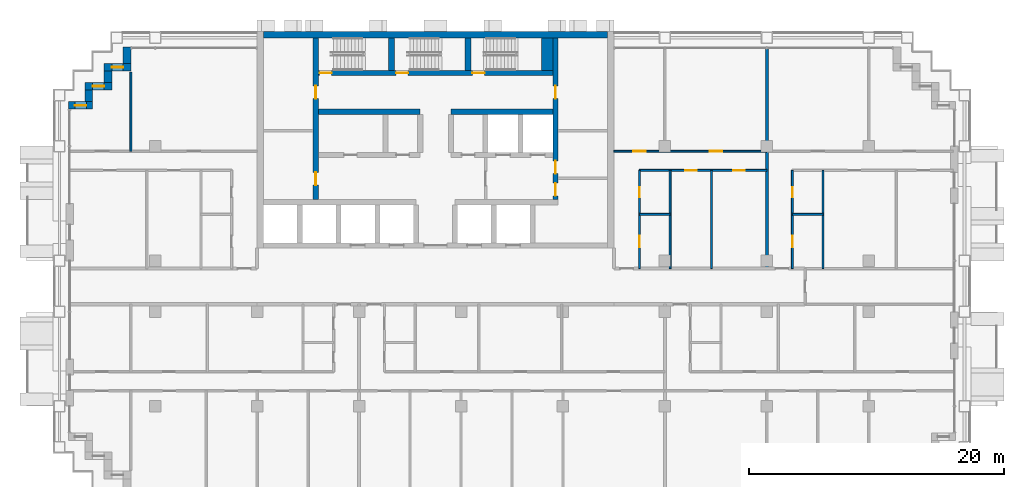
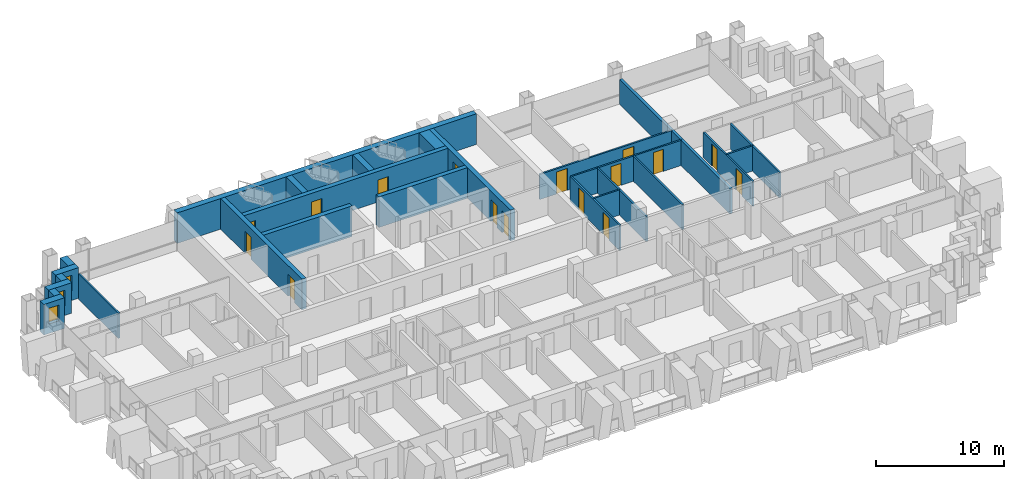
# One storey, part 12 of 19: 26 walls, 16 doors, 3 windows, 19 openings.
"""IFC4 building model written with IfcOpenShell, lengths in metres."""

import ifcopenshell
import ifcopenshell.guid

model = None  # the IFC model being written
_history = None  # IfcOwnerHistory: only IFC2X3 demands one
_inside = {}  # id of a spatial element -> (the spatial element, [elements in it])
_under = {}  # id of a project, library or spatial element -> (it, [spatial elements below it])
_declared = {}  # id of a project -> (the project, [libraries it declares])
_typed = {}  # id of a type object -> (the type object, [elements of that type])
_made_of = {}  # id of a material, layer set ... -> (it, [elements and type objects made of it])


def new_model(schema):
    """Start an empty IFC model of exactly this schema.

    Asked for "IFC4X3", IfcOpenShell would pick the latest addendum, in which some entities
    have other attributes; the version numbers below select the first issue.
    IFC2X3 requires an IfcOwnerHistory on every rooted entity: one is made here for all.
    """
    global model, _history
    if schema == "IFC4X3":
        model = ifcopenshell.file(schema_version=(4, 3, 0, 0))
    else:
        model = ifcopenshell.file(schema=schema)
    _inside.clear()
    _under.clear()
    _declared.clear()
    _typed.clear()
    _made_of.clear()
    _history = None
    if model.schema == "IFC2X3":
        org = make("IfcOrganization", Name="unknown")
        user = make(
            "IfcPersonAndOrganization",
            ThePerson=make("IfcPerson", FamilyName="unknown"),
            TheOrganization=org,
        )
        app = make(
            "IfcApplication",
            ApplicationDeveloper=org,
            Version="unknown",
            ApplicationFullName="unknown",
            ApplicationIdentifier="unknown",
        )
        _history = make(
            "IfcOwnerHistory",
            OwningUser=user,
            OwningApplication=app,
            ChangeAction="ADDED",
            CreationDate=0,
        )
    return model


def make(cls, **values):
    """One entity of the class cls with the attributes given. An attribute that is None is left unset."""
    return model.create_entity(
        cls, **{name: value for name, value in values.items() if value is not None}
    )


def rooted(cls, **values):
    """An entity with a GlobalId (a new one), such as an element, a storey or a relation."""
    return make(cls, GlobalId=ifcopenshell.guid.new(), OwnerHistory=_history, **values)


def si_unit(unit_type, name, prefix=None):
    """IfcSIUnit, for example si_unit("LENGTHUNIT", "METRE", prefix="MILLI")."""
    return make("IfcSIUnit", UnitType=unit_type, Prefix=prefix, Name=name)


def assignment(units):
    """IfcUnitAssignment: the units of a project."""
    return None if units is None else make("IfcUnitAssignment", Units=units)


def point(xyz):
    """IfcCartesianPoint."""
    return None if xyz is None else make("IfcCartesianPoint", Coordinates=xyz)


def direction(xyz):
    """IfcDirection."""
    return None if xyz is None else make("IfcDirection", DirectionRatios=xyz)


def frame(location, z_axis=None, x_axis=None):
    """IfcAxis2Placement3D, a coordinate frame: its origin and axes. An axis left out is left unset."""
    return make(
        "IfcAxis2Placement3D",
        Location=point(location),
        Axis=direction(z_axis),
        RefDirection=direction(x_axis),
    )


def frame_2d(location, x_axis=None):
    """IfcAxis2Placement2D, a coordinate frame in the plane: its origin and x axis."""
    return make(
        "IfcAxis2Placement2D", Location=point(location), RefDirection=direction(x_axis)
    )


def origin():
    """The frame at (0, 0, 0) with its axes left unset."""
    return frame((0.0, 0.0, 0.0))


def place(relative_to, where):
    """IfcLocalPlacement: puts the frame where relative to a parent placement (None: the world)."""
    return make(
        "IfcLocalPlacement", PlacementRelTo=relative_to, RelativePlacement=where
    )


def context(
    kind, dimensions, precision=None, world=None, true_north=None, identifier=None
):
    """IfcGeometricRepresentationContext, for example the 3D "Model" context."""
    return make(
        "IfcGeometricRepresentationContext",
        ContextIdentifier=identifier,
        ContextType=kind,
        CoordinateSpaceDimension=dimensions,
        Precision=precision,
        WorldCoordinateSystem=world,
        TrueNorth=true_north,
    )


def subcontext(parent, identifier, kind, view, scale=None):
    """IfcGeometricRepresentationSubContext, for example "Body" below "Model"."""
    return make(
        "IfcGeometricRepresentationSubContext",
        ContextIdentifier=identifier,
        ContextType=kind,
        ParentContext=parent,
        TargetScale=scale,
        TargetView=view,
    )


def project(units=None, contexts=None):
    """IfcProject with its units and contexts."""
    return rooted(
        "IfcProject",
        Name="project",
        RepresentationContexts=contexts,
        UnitsInContext=assignment(units),
    )


def spatial(cls, under=None, at=None, **own):
    """A site, building, storey or space (cls), placed at a placement, below another one or the project."""
    s = rooted(cls, ObjectPlacement=at, **own)
    if under is not None:
        _under.setdefault(under.id(), (under, []))[1].append(s)
    return s


def profile(cls, at=None, kind="AREA", **sizes):
    """A parametric profile (cls). Its sizes go by their IFC names, for example OverallWidth=200.0."""
    return make(cls, ProfileType=kind, Position=at, **sizes)


def rectangle(**sizes):
    """IfcRectangleProfileDef."""
    return profile("IfcRectangleProfileDef", **sizes)


def extrude(swept, where, along, depth):
    """IfcExtrudedAreaSolid: the profile swept, set in the frame where, extruded along a direction by depth."""
    return make(
        "IfcExtrudedAreaSolid",
        SweptArea=swept,
        Position=where,
        ExtrudedDirection=direction(along),
        Depth=depth,
    )


def shape(context_of_items, identifier, shape_type, items):
    """IfcShapeRepresentation: the items that make up one representation, for example the "Body"."""
    return make(
        "IfcShapeRepresentation",
        ContextOfItems=context_of_items,
        RepresentationIdentifier=identifier,
        RepresentationType=shape_type,
        Items=items,
    )


def material(Name=None, Category=None):
    """IfcMaterial."""
    return make("IfcMaterial", Name=Name, Category=Category)


def layer(
    of_material, thickness, ventilated=None, Name=None, Category=None, Priority=None
):
    """IfcMaterialLayer: one layer of a wall or slab, of a material (None: an air gap)."""
    return make(
        "IfcMaterialLayer",
        Material=of_material,
        LayerThickness=thickness,
        IsVentilated=ventilated,
        Name=Name,
        Category=Category,
        Priority=Priority,
    )


def layer_set(layers, Name=None):
    """IfcMaterialLayerSet."""
    return make("IfcMaterialLayerSet", MaterialLayers=layers, LayerSetName=Name)


def made_of(thing, what):
    """Note that an element or type object is made of a material, layer set ...; save() writes the relation."""
    if what is not None:
        _made_of.setdefault(what.id(), (what, []))[1].append(thing)
    return thing


def type_object(cls, material=None, **own):
    """A type object (cls), such as IfcWallType, which elements share."""
    return made_of(rooted(cls, **own), material)


def element(
    cls,
    number,
    at=None,
    inside=None,
    cuts=None,
    type_object=None,
    material=None,
    context=None,
    identifier="Body",
    shape_type=None,
    held_by="IfcProductDefinitionShape",
    body=None,
    shapes=None,
    **own,
):
    """One element of the class cls, such as IfcWall. Its Tag is "e" and its number.

    at: its placement. inside: the storey or other place that contains it. cuts: it is an
    opening in that element (IfcRelVoidsElement). A single representation is given by context,
    identifier, shape_type and body (its items); several are given by shapes. held_by: the class
    of the entity that holds the representations. save() writes the other relations.
    """
    e = rooted(cls, Tag="e%d" % number, ObjectPlacement=at, **own)
    if body is not None:
        shapes = [shape(context, identifier, shape_type, body)]
    if shapes is not None:
        e.Representation = make(held_by, Representations=shapes)
    if inside is not None:
        _inside.setdefault(inside.id(), (inside, []))[1].append(e)
    if cuts is not None:
        rooted(
            "IfcRelVoidsElement", RelatingBuildingElement=cuts, RelatedOpeningElement=e
        )
    if type_object is not None:
        _typed.setdefault(type_object.id(), (type_object, []))[1].append(e)
    return made_of(e, material)


def fill(opening, filler):
    """IfcRelFillsElement: the door or window that sits in an opening."""
    return rooted(
        "IfcRelFillsElement",
        RelatingOpeningElement=opening,
        RelatedBuildingElement=filler,
    )


def aggregate(whole, parts):
    """IfcRelAggregates: a whole, such as a stair, and the parts it consists of."""
    return rooted("IfcRelAggregates", RelatingObject=whole, RelatedObjects=parts)


def save(model, path):
    """Write the relations noted so far, then the file.

    IfcRelAggregates (storeys below a building ...), IfcRelContainedInSpatialStructure (elements
    in a storey), IfcRelDefinesByType, IfcRelAssociatesMaterial and IfcRelDeclares: one each for
    every whole, place, type object, material and project.
    """
    for whole, parts in _under.values():
        aggregate(whole, parts)
    for where, things in _inside.values():
        rooted(
            "IfcRelContainedInSpatialStructure",
            RelatedElements=things,
            RelatingStructure=where,
        )
    for kind, things in _typed.values():
        rooted("IfcRelDefinesByType", RelatedObjects=things, RelatingType=kind)
    for what, things in _made_of.values():
        rooted("IfcRelAssociatesMaterial", RelatedObjects=things, RelatingMaterial=what)
    for by, libraries in _declared.values():
        rooted("IfcRelDeclares", RelatingContext=by, RelatedDefinitions=libraries)
    model.write(path)


model = new_model("IFC4")

# Units and contexts
model_context = context("Model", 3, precision=1e-05, world=origin(), true_north=direction((0.0, 1.0)))
body_context = subcontext(model_context, "Body", "Model", "MODEL_VIEW")
ifc_project = project(units=[si_unit("LENGTHUNIT", "METRE"), si_unit("AREAUNIT", "SQUARE_METRE"), si_unit("VOLUMEUNIT", "CUBIC_METRE"), si_unit("PLANEANGLEUNIT", "RADIAN"), si_unit("MASSUNIT", "GRAM", prefix="KILO")], contexts=[model_context])

# Site, building, storey
site_placement = place(None, origin())
site = spatial("IfcSite", under=ifc_project, at=site_placement, CompositionType="ELEMENT")
building_placement = place(site_placement, origin())
building = spatial("IfcBuilding", under=site, at=building_placement, Name="Vidyagriha Tower", CompositionType="ELEMENT")
storey_placement = place(building_placement, frame((0.0, 0.0, 99.89990234375)))
storey = spatial("IfcBuildingStorey", under=building, at=storey_placement, Name="L26", CompositionType="ELEMENT", Elevation=99.89990234375)

# Wall
ifc_material_1 = material(Name="Precast concrete C40/50 with brick facing", Category="concrete")
ifc_layer_1 = layer(ifc_material_1, 0.60009765625)
ifc_layer_set_1 = layer_set([ifc_layer_1], Name="Precast concrete C40/50 with brick facing")
wall_type_1 = type_object("IfcWallType", Name="Brick-faced precast wall 600", PredefinedType="STANDARD", material=ifc_layer_set_1)
wall_1_placement = place(storey_placement, frame((-24.199951171875, 18.780029296875, 0.0), z_axis=(0.0, 0.0, 1.0), x_axis=(0.0, -1.0, 0.0)))
element("IfcWall", 1, at=wall_1_placement, inside=storey, type_object=wall_type_1, Name="Stepped corner wall L26 R10", PredefinedType="STANDARD", context=body_context, shape_type="SweptSolid", body=[
    extrude(rectangle(XDim=1.280029296875, YDim=0.60009765625, at=frame_2d((0.64013671875, 0.0))), origin(), (0.0, 0.0, 1.0), 2.920166015625),
])

# Wall, opening, window
wall_2_placement = place(storey_placement, frame((-23.89990234375, 17.199951171875, 0.0), z_axis=(0.0, 0.0, 1.0), x_axis=(-1.0, 0.0, 0.0)))
wall_2 = element("IfcWall", 2, at=wall_2_placement, inside=storey, type_object=wall_type_1, Name="Stepped corner wall L26 R11", PredefinedType="STANDARD", context=body_context, shape_type="SweptSolid", body=[
    extrude(rectangle(XDim=2.10009765625, YDim=0.60009765625, at=frame_2d((1.050048828125, 0.0))), origin(), (0.0, 0.0, 1.0), 2.920166015625),
])
opening_1_placement = place(wall_2_placement, frame((0.60009765625, 0.0, 0.89990234375)))
opening_1 = element("IfcOpeningElement", 3, at=opening_1_placement, cuts=wall_2, Name="Opening WN1", PredefinedType="OPENING", context=body_context, shape_type="SweptSolid", body=[
    extrude(rectangle(XDim=0.89990234375, YDim=1.5, at=frame_2d((0.449951171875, 0.75))), frame((0.0, 0.31005859375, 0.0), z_axis=(0.0, -1.0, 0.0), x_axis=(1.0, 0.0, 0.0)), (0.0, 0.0, 1.0), 0.6201171875),
])
ifc_material_2 = material(Name="Aluminium and glass window", Category="aluminium")
window_type = type_object("IfcWindowType", Name="Reveal window 900x1500", PartitioningType="NOTDEFINED", PredefinedType="WINDOW", material=ifc_material_2)
window_1_placement = place(opening_1_placement, origin())
window_1 = element("IfcWindow", 4, at=window_1_placement, inside=storey, type_object=window_type, Name="Reveal window L26 R11", OverallHeight=1.5, OverallWidth=0.89990234375, PartitioningType="SINGLE_PANEL", PredefinedType="WINDOW", context=body_context, shape_type="SweptSolid", body=[
    extrude(rectangle(XDim=0.89990234375, YDim=1.5, at=frame_2d((0.449951171875, 0.75))), frame((0.0, 0.030029296875, 0.0), z_axis=(0.0, -1.0, 0.0), x_axis=(1.0, 0.0, 0.0)), (0.0, 0.0, 1.0), 0.06005859375),
])
fill(opening_1, window_1)

# Wall
wall_3_placement = place(storey_placement, frame((-25.699951171875, 16.89990234375, 0.0), z_axis=(0.0, 0.0, 1.0), x_axis=(0.0, -1.0, 0.0)))
element("IfcWall", 5, at=wall_3_placement, inside=storey, type_object=wall_type_1, Name="Stepped corner wall L26 R12", PredefinedType="STANDARD", context=body_context, shape_type="SweptSolid", body=[
    extrude(rectangle(XDim=0.89990234375, YDim=0.60009765625, at=frame_2d((0.449951171875, 0.0))), origin(), (0.0, 0.0, 1.0), 2.920166015625),
])

# Wall, opening, window
wall_4_placement = place(storey_placement, frame((-25.39990234375, 15.699951171875, 0.0), z_axis=(0.0, 0.0, 1.0), x_axis=(-1.0, 0.0, 0.0)))
wall_4 = element("IfcWall", 6, at=wall_4_placement, inside=storey, type_object=wall_type_1, Name="Stepped corner wall L26 R13", PredefinedType="STANDARD", context=body_context, shape_type="SweptSolid", body=[
    extrude(rectangle(XDim=2.10009765625, YDim=0.60009765625, at=frame_2d((1.050048828125, 0.0))), origin(), (0.0, 0.0, 1.0), 2.920166015625),
])
opening_2_placement = place(wall_4_placement, frame((0.60009765625, 0.0, 0.89990234375)))
opening_2 = element("IfcOpeningElement", 7, at=opening_2_placement, cuts=wall_4, Name="Opening WN1", PredefinedType="OPENING", context=body_context, shape_type="SweptSolid", body=[
    extrude(rectangle(XDim=0.89990234375, YDim=1.5, at=frame_2d((0.449951171875, 0.75))), frame((0.0, 0.31005859375, 0.0), z_axis=(0.0, -1.0, 0.0), x_axis=(1.0, 0.0, 0.0)), (0.0, 0.0, 1.0), 0.6201171875),
])
window_2_placement = place(opening_2_placement, origin())
window_2 = element("IfcWindow", 8, at=window_2_placement, inside=storey, type_object=window_type, Name="Reveal window L26 R13", OverallHeight=1.5, OverallWidth=0.89990234375, PartitioningType="SINGLE_PANEL", PredefinedType="WINDOW", context=body_context, shape_type="SweptSolid", body=[
    extrude(rectangle(XDim=0.89990234375, YDim=1.5, at=frame_2d((0.449951171875, 0.75))), frame((0.0, 0.030029296875, 0.0), z_axis=(0.0, -1.0, 0.0), x_axis=(1.0, 0.0, 0.0)), (0.0, 0.0, 1.0), 0.06005859375),
])
fill(opening_2, window_2)

# Wall
wall_5_placement = place(storey_placement, frame((-27.199951171875, 15.39990234375, 0.0), z_axis=(0.0, 0.0, 1.0), x_axis=(0.0, -1.0, 0.0)))
element("IfcWall", 9, at=wall_5_placement, inside=storey, type_object=wall_type_1, Name="Stepped corner wall L26 R14", PredefinedType="STANDARD", context=body_context, shape_type="SweptSolid", body=[
    extrude(rectangle(XDim=0.89990234375, YDim=0.60009765625, at=frame_2d((0.449951171875, 0.0))), origin(), (0.0, 0.0, 1.0), 2.920166015625),
])

# Wall, opening, window
wall_6_placement = place(storey_placement, frame((-26.89990234375, 14.199951171875, 0.0), z_axis=(0.0, 0.0, 1.0), x_axis=(-1.0, 0.0, 0.0)))
wall_6 = element("IfcWall", 10, at=wall_6_placement, inside=storey, type_object=wall_type_1, Name="Stepped corner wall L26 R15", PredefinedType="STANDARD", context=body_context, shape_type="SweptSolid", body=[
    extrude(rectangle(XDim=1.880126953125, YDim=0.60009765625, at=frame_2d((0.93994140625, 0.0))), origin(), (0.0, 0.0, 1.0), 2.920166015625),
])
opening_3_placement = place(wall_6_placement, frame((0.489990234375, 0.0, 0.89990234375)))
opening_3 = element("IfcOpeningElement", 11, at=opening_3_placement, cuts=wall_6, Name="Opening WN1", PredefinedType="OPENING", context=body_context, shape_type="SweptSolid", body=[
    extrude(rectangle(XDim=0.89990234375, YDim=1.5, at=frame_2d((0.449951171875, 0.75))), frame((0.0, 0.31005859375, 0.0), z_axis=(0.0, -1.0, 0.0), x_axis=(1.0, 0.0, 0.0)), (0.0, 0.0, 1.0), 0.6201171875),
])
window_3_placement = place(opening_3_placement, origin())
window_3 = element("IfcWindow", 12, at=window_3_placement, inside=storey, type_object=window_type, Name="Reveal window L26 R15", OverallHeight=1.5, OverallWidth=0.89990234375, PartitioningType="SINGLE_PANEL", PredefinedType="WINDOW", context=body_context, shape_type="SweptSolid", body=[
    extrude(rectangle(XDim=0.89990234375, YDim=1.5, at=frame_2d((0.449951171875, 0.75))), frame((0.0, 0.030029296875, 0.0), z_axis=(0.0, -1.0, 0.0), x_axis=(1.0, 0.0, 0.0)), (0.0, 0.0, 1.0), 0.06005859375),
])
fill(opening_3, window_3)

# Wall, openings, doors
ifc_material_3 = material(Name="Concrete C60/75", Category="concrete")
ifc_layer_2 = layer(ifc_material_3, 0.39990234375)
ifc_layer_set_2 = layer_set([ifc_layer_2], Name="Concrete C60/75")
wall_type_2 = type_object("IfcWallType", Name="Core shear wall 400 mm", PredefinedType="SHEAR", material=ifc_layer_set_2)
wall_7_placement = place(storey_placement, frame((-9.39990234375, 6.800048828125, 0.0), z_axis=(0.0, 0.0, 1.0), x_axis=(0.0, 1.0, 0.0)))
wall_7 = element("IfcWall", 13, at=wall_7_placement, inside=storey, type_object=wall_type_2, Name="Core west spine wall", PredefinedType="SHEAR", context=body_context, shape_type="SweptSolid", body=[
    extrude(rectangle(XDim=12.699951171875, YDim=0.39990234375, at=frame_2d((6.35009765625, 0.0))), origin(), (0.0, 0.0, 1.0), 2.920166015625),
])
opening_4_placement = place(wall_7_placement, frame((1.14990234375, 0.0, 0.0)))
opening_4 = element("IfcOpeningElement", 14, at=opening_4_placement, cuts=wall_7, Name="Opening D26-09", PredefinedType="OPENING", context=body_context, shape_type="SweptSolid", body=[
    extrude(rectangle(XDim=1.0, YDim=2.10009765625, at=frame_2d((0.5, 1.050048828125))), frame((0.0, 0.2099609375, 0.0), z_axis=(0.0, -1.0, 0.0), x_axis=(1.0, 0.0, 0.0)), (0.0, 0.0, 1.0), 0.419921875),
])
opening_5_placement = place(wall_7_placement, frame((7.925048828125, 0.0, 0.0)))
opening_5 = element("IfcOpeningElement", 15, at=opening_5_placement, cuts=wall_7, Name="Opening D26-10", PredefinedType="OPENING", context=body_context, shape_type="SweptSolid", body=[
    extrude(rectangle(XDim=1.0, YDim=2.10009765625, at=frame_2d((0.5, 1.050048828125))), frame((0.0, 0.2099609375, 0.0), z_axis=(0.0, -1.0, 0.0), x_axis=(1.0, 0.0, 0.0)), (0.0, 0.0, 1.0), 0.419921875),
])
ifc_material_4 = material(Name="Hollow metal door leaf")
door_type_1 = type_object("IfcDoorType", Name="Core room door 1000 x 2100 mm EI 60", OperationType="NOTDEFINED", PredefinedType="DOOR", material=ifc_material_4)
door_1_placement = place(opening_4_placement, frame((1.0, 0.0, 0.0), z_axis=(0.0, 0.0, 1.0), x_axis=(-1.0, 0.0, 0.0)))
door_1 = element("IfcDoor", 16, at=door_1_placement, inside=storey, type_object=door_type_1, Name="Door Communications Room 26.W1", OperationType="SINGLE_SWING_RIGHT", OverallHeight=2.10009765625, OverallWidth=1.0, PredefinedType="DOOR", context=body_context, shape_type="SweptSolid", body=[
    extrude(rectangle(XDim=1.0, YDim=2.10009765625, at=frame_2d((0.5, 1.050048828125))), frame((0.0, 0.02490234375, 0.0), z_axis=(0.0, -1.0, 0.0), x_axis=(1.0, 0.0, 0.0)), (0.0, 0.0, 1.0), 0.050048828125),
])
fill(opening_4, door_1)
door_2_placement = place(opening_5_placement, frame((1.0, 0.0, 0.0), z_axis=(0.0, 0.0, 1.0), x_axis=(-1.0, 0.0, 0.0)))
door_2 = element("IfcDoor", 17, at=door_2_placement, inside=storey, type_object=door_type_1, Name="Door Riser Room 26.W2", OperationType="SINGLE_SWING_LEFT", OverallHeight=2.10009765625, OverallWidth=1.0, PredefinedType="DOOR", context=body_context, shape_type="SweptSolid", body=[
    extrude(rectangle(XDim=1.0, YDim=2.10009765625, at=frame_2d((0.5, 1.050048828125))), frame((0.0, 0.02490234375, 0.0), z_axis=(0.0, -1.0, 0.0), x_axis=(1.0, 0.0, 0.0)), (0.0, 0.0, 1.0), 0.050048828125),
])
fill(opening_5, door_2)

wall_8_placement = place(storey_placement, frame((9.39990234375, 6.800048828125, 0.0), z_axis=(0.0, 0.0, 1.0), x_axis=(0.0, 1.0, 0.0)))
wall_8 = element("IfcWall", 18, at=wall_8_placement, inside=storey, type_object=wall_type_2, Name="Core east spine wall", PredefinedType="SHEAR", context=body_context, shape_type="SweptSolid", body=[
    extrude(rectangle(XDim=12.699951171875, YDim=0.39990234375, at=frame_2d((6.35009765625, 0.0))), origin(), (0.0, 0.0, 1.0), 2.920166015625),
])
opening_6_placement = place(wall_8_placement, frame((0.300048828125, 0.0, 0.0)))
opening_6 = element("IfcOpeningElement", 19, at=opening_6_placement, cuts=wall_8, Name="Opening D26-11", PredefinedType="OPENING", context=body_context, shape_type="SweptSolid", body=[
    extrude(rectangle(XDim=1.0, YDim=2.10009765625, at=frame_2d((0.5, 1.050048828125))), frame((0.0, 0.2099609375, 0.0), z_axis=(0.0, -1.0, 0.0), x_axis=(1.0, 0.0, 0.0)), (0.0, 0.0, 1.0), 0.419921875),
])
opening_7_placement = place(wall_8_placement, frame((2.050048828125, 0.0, 0.0)))
opening_7 = element("IfcOpeningElement", 20, at=opening_7_placement, cuts=wall_8, Name="Opening D26-12", PredefinedType="OPENING", context=body_context, shape_type="SweptSolid", body=[
    extrude(rectangle(XDim=1.0, YDim=2.10009765625, at=frame_2d((0.5, 1.050048828125))), frame((0.0, 0.2099609375, 0.0), z_axis=(0.0, -1.0, 0.0), x_axis=(1.0, 0.0, 0.0)), (0.0, 0.0, 1.0), 0.419921875),
])
opening_8_placement = place(wall_8_placement, frame((7.925048828125, 0.0, 0.0)))
opening_8 = element("IfcOpeningElement", 21, at=opening_8_placement, cuts=wall_8, Name="Opening D26-13", PredefinedType="OPENING", context=body_context, shape_type="SweptSolid", body=[
    extrude(rectangle(XDim=1.0, YDim=2.10009765625, at=frame_2d((0.5, 1.050048828125))), frame((0.0, 0.2099609375, 0.0), z_axis=(0.0, -1.0, 0.0), x_axis=(1.0, 0.0, 0.0)), (0.0, 0.0, 1.0), 0.419921875),
])
door_3_placement = place(opening_6_placement, origin())
door_3 = element("IfcDoor", 22, at=door_3_placement, inside=storey, type_object=door_type_1, Name="Door Refuse Room 26.E1", OperationType="SINGLE_SWING_RIGHT", OverallHeight=2.10009765625, OverallWidth=1.0, PredefinedType="DOOR", context=body_context, shape_type="SweptSolid", body=[
    extrude(rectangle(XDim=1.0, YDim=2.10009765625, at=frame_2d((0.5, 1.050048828125))), frame((0.0, 0.02490234375, 0.0), z_axis=(0.0, -1.0, 0.0), x_axis=(1.0, 0.0, 0.0)), (0.0, 0.0, 1.0), 0.050048828125),
])
fill(opening_6, door_3)
door_4_placement = place(opening_7_placement, origin())
door_4 = element("IfcDoor", 23, at=door_4_placement, inside=storey, type_object=door_type_1, Name="Door Mechanical Riser Room 26.E2", OperationType="SINGLE_SWING_LEFT", OverallHeight=2.10009765625, OverallWidth=1.0, PredefinedType="DOOR", context=body_context, shape_type="SweptSolid", body=[
    extrude(rectangle(XDim=1.0, YDim=2.10009765625, at=frame_2d((0.5, 1.050048828125))), frame((0.0, 0.02490234375, 0.0), z_axis=(0.0, -1.0, 0.0), x_axis=(1.0, 0.0, 0.0)), (0.0, 0.0, 1.0), 0.050048828125),
])
fill(opening_7, door_4)
door_5_placement = place(opening_8_placement, origin())
door_5 = element("IfcDoor", 24, at=door_5_placement, inside=storey, type_object=door_type_1, Name="Door Electrical Room 26.E3", OperationType="SINGLE_SWING_LEFT", OverallHeight=2.10009765625, OverallWidth=1.0, PredefinedType="DOOR", context=body_context, shape_type="SweptSolid", body=[
    extrude(rectangle(XDim=1.0, YDim=2.10009765625, at=frame_2d((0.5, 1.050048828125))), frame((0.0, 0.02490234375, 0.0), z_axis=(0.0, -1.0, 0.0), x_axis=(1.0, 0.0, 0.0)), (0.0, 0.0, 1.0), 0.050048828125),
])
fill(opening_8, door_5)

# Walls
for number, where, name in (
    (25, (-9.199951171875, 13.699951171875, 0.0), "Core row N rear wall"),
    (26, (1.199951171875, 13.699951171875, 0.0), "Core row N rear wall"),
):
    element("IfcWall", number, at=place(storey_placement, frame(where)), inside=storey, type_object=wall_type_2, Name=name, PredefinedType="SHEAR", context=body_context, shape_type="SweptSolid", body=[
        extrude(rectangle(XDim=8.0, YDim=0.39990234375, at=frame_2d((4.0, 0.0))), origin(), (0.0, 0.0, 1.0), 2.920166015625),
    ])

# Wall, openings, doors
wall_9_placement = place(storey_placement, frame((-9.199951171875, 16.75, 0.0)))
wall_9 = element("IfcWall", 27, at=wall_9_placement, inside=storey, type_object=wall_type_2, Name="Stair front wall", PredefinedType="SHEAR", context=body_context, shape_type="SweptSolid", body=[
    extrude(rectangle(XDim=18.39990234375, YDim=0.39990234375, at=frame_2d((9.199951171875, 0.0))), origin(), (0.0, 0.0, 1.0), 2.920166015625),
])
opening_9_placement = place(wall_9_placement, frame((0.10009765625, 0.0, 0.0)))
opening_9 = element("IfcOpeningElement", 28, at=opening_9_placement, cuts=wall_9, Name="Opening D26-06", PredefinedType="OPENING", context=body_context, shape_type="SweptSolid", body=[
    extrude(rectangle(XDim=0.949951171875, YDim=2.10009765625, at=frame_2d((0.47509765625, 1.050048828125))), frame((0.0, 0.2099609375, 0.0), z_axis=(0.0, -1.0, 0.0), x_axis=(1.0, 0.0, 0.0)), (0.0, 0.0, 1.0), 0.419921875),
])
opening_10_placement = place(wall_9_placement, frame((6.10009765625, 0.0, 0.0)))
opening_10 = element("IfcOpeningElement", 29, at=opening_10_placement, cuts=wall_9, Name="Opening D26-07", PredefinedType="OPENING", context=body_context, shape_type="SweptSolid", body=[
    extrude(rectangle(XDim=0.949951171875, YDim=2.10009765625, at=frame_2d((0.47509765625, 1.050048828125))), frame((0.0, 0.2099609375, 0.0), z_axis=(0.0, -1.0, 0.0), x_axis=(1.0, 0.0, 0.0)), (0.0, 0.0, 1.0), 0.419921875),
])
opening_11_placement = place(wall_9_placement, frame((12.10009765625, 0.0, 0.0)))
opening_11 = element("IfcOpeningElement", 30, at=opening_11_placement, cuts=wall_9, Name="Opening D26-08", PredefinedType="OPENING", context=body_context, shape_type="SweptSolid", body=[
    extrude(rectangle(XDim=0.949951171875, YDim=2.10009765625, at=frame_2d((0.47509765625, 1.050048828125))), frame((0.0, 0.2099609375, 0.0), z_axis=(0.0, -1.0, 0.0), x_axis=(1.0, 0.0, 0.0)), (0.0, 0.0, 1.0), 0.419921875),
])
ifc_material_5 = material(Name="Hollow metal door leaf")
door_type_2 = type_object("IfcDoorType", Name="Exit stair door 950 x 2100 mm EI 90", OperationType="NOTDEFINED", PredefinedType="DOOR", material=ifc_material_5)
door_6_placement = place(opening_9_placement, origin())
door_6 = element("IfcDoor", 31, at=door_6_placement, inside=storey, type_object=door_type_2, Name="Stair door ST1 L26", OperationType="SINGLE_SWING_LEFT", OverallHeight=2.10009765625, OverallWidth=0.949951171875, PredefinedType="DOOR", context=body_context, shape_type="SweptSolid", body=[
    extrude(rectangle(XDim=0.949951171875, YDim=2.10009765625, at=frame_2d((0.47509765625, 1.050048828125))), frame((0.0, 0.02490234375, 0.0), z_axis=(0.0, -1.0, 0.0), x_axis=(1.0, 0.0, 0.0)), (0.0, 0.0, 1.0), 0.050048828125),
])
fill(opening_9, door_6)
door_7_placement = place(opening_10_placement, origin())
door_7 = element("IfcDoor", 32, at=door_7_placement, inside=storey, type_object=door_type_2, Name="Stair door ST2 L26", OperationType="SINGLE_SWING_LEFT", OverallHeight=2.10009765625, OverallWidth=0.949951171875, PredefinedType="DOOR", context=body_context, shape_type="SweptSolid", body=[
    extrude(rectangle(XDim=0.949951171875, YDim=2.10009765625, at=frame_2d((0.47509765625, 1.050048828125))), frame((0.0, 0.02490234375, 0.0), z_axis=(0.0, -1.0, 0.0), x_axis=(1.0, 0.0, 0.0)), (0.0, 0.0, 1.0), 0.050048828125),
])
fill(opening_10, door_7)
door_8_placement = place(opening_11_placement, origin())
door_8 = element("IfcDoor", 33, at=door_8_placement, inside=storey, type_object=door_type_2, Name="Stair door ST3 L26", OperationType="SINGLE_SWING_LEFT", OverallHeight=2.10009765625, OverallWidth=0.949951171875, PredefinedType="DOOR", context=body_context, shape_type="SweptSolid", body=[
    extrude(rectangle(XDim=0.949951171875, YDim=2.10009765625, at=frame_2d((0.47509765625, 1.050048828125))), frame((0.0, 0.02490234375, 0.0), z_axis=(0.0, -1.0, 0.0), x_axis=(1.0, 0.0, 0.0)), (0.0, 0.0, 1.0), 0.050048828125),
])
fill(opening_11, door_8)

# Walls
ifc_material_6 = material(Name="Concrete C60/75", Category="concrete")
ifc_layer_3 = layer(ifc_material_6, 0.5)
ifc_layer_set_3 = layer_set([ifc_layer_3], Name="Concrete C60/75")
wall_type_3 = type_object("IfcWallType", Name="Core shear wall 500 mm", PredefinedType="SHEAR", material=ifc_layer_set_3)
wall_10_placement = place(storey_placement, frame((-13.5, 19.75, 0.0)))
element("IfcWall", 34, at=wall_10_placement, inside=storey, type_object=wall_type_3, Name="Core north wall", PredefinedType="SHEAR", context=body_context, shape_type="SweptSolid", body=[
    extrude(rectangle(XDim=27.0, YDim=0.5, at=frame_2d((13.5, 0.0))), origin(), (0.0, 0.0, 1.0), 2.920166015625),
])
for number, where, z_axis, x_axis, name in (
    (35, (-3.449951171875, 16.949951171875, 0.0), (0.0, 0.0, 1.0), (0.0, 1.0, 0.0), "Stair partition wall 1"),
    (36, (2.550048828125, 16.949951171875, 0.0), (0.0, 0.0, 1.0), (0.0, 1.0, 0.0), "Stair partition wall 2"),
):
    element("IfcWall", number, at=place(storey_placement, frame(where, z_axis=z_axis, x_axis=x_axis)), inside=storey, type_object=wall_type_3, Name=name, PredefinedType="SHEAR", context=body_context, shape_type="SweptSolid", body=[
        extrude(rectangle(XDim=2.550048828125, YDim=0.5, at=frame_2d((1.27490234375, 0.0))), origin(), (0.0, 0.0, 1.0), 2.920166015625),
    ])
ifc_material_7 = material(Name="Concrete C60/75", Category="concrete")
ifc_layer_4 = layer(ifc_material_7, 0.89990234375)
ifc_layer_set_4 = layer_set([ifc_layer_4], Name="Concrete C60/75")
wall_type_4 = type_object("IfcWallType", Name="Core shear wall 900 mm", PredefinedType="SHEAR", material=ifc_layer_set_4)
wall_11_placement = place(storey_placement, frame((8.75, 16.949951171875, 0.0), z_axis=(0.0, 0.0, 1.0), x_axis=(0.0, 1.0, 0.0)))
element("IfcWall", 37, at=wall_11_placement, inside=storey, type_object=wall_type_4, Name="Stair end wall", PredefinedType="SHEAR", context=body_context, shape_type="SweptSolid", body=[
    extrude(rectangle(XDim=2.550048828125, YDim=0.89990234375, at=frame_2d((1.27490234375, 0.0))), origin(), (0.0, 0.0, 1.0), 2.920166015625),
])
ifc_material_8 = material(Name="Fired clay brick masonry", Category="masonry")
ifc_layer_5 = layer(ifc_material_8, 0.25)
ifc_layer_set_5 = layer_set([ifc_layer_5], Name="Fired clay brick masonry")
wall_type_5 = type_object("IfcWallType", Name="Fired clay brick demising wall 250", PredefinedType="PARTITIONING", material=ifc_layer_set_5)
wall_12_placement = place(storey_placement, frame((26.0, 18.62109375, 0.0), z_axis=(0.0, 0.0, 1.0), x_axis=(0.0, -1.0, 0.0)))
element("IfcWall", 38, at=wall_12_placement, inside=storey, type_object=wall_type_5, Name="Wall all-L26-w113", PredefinedType="PARTITIONING", context=body_context, shape_type="SweptSolid", body=[
    extrude(rectangle(XDim=17.22119140625, YDim=0.25, at=frame_2d((8.610595703125, 0.0))), origin(), (0.0, 0.0, 1.0), 2.400146484375),
])
ifc_material_9 = material(Name="Gypsum board partition")
ifc_layer_6 = layer(ifc_material_9, 0.14990234375)
ifc_layer_set_6 = layer_set([ifc_layer_6], Name="Gypsum board partition")
wall_type_6 = type_object("IfcWallType", Name="Gypsum board partition 150", PredefinedType="PARTITIONING", material=ifc_layer_set_6)
wall_13_placement = place(storey_placement, frame((-23.89990234375, 16.820068359375, 0.0), z_axis=(0.0, 0.0, 1.0), x_axis=(0.0, -1.0, 0.0)))
element("IfcWall", 39, at=wall_13_placement, inside=storey, type_object=wall_type_6, Name="Wall all-L26-w082", PredefinedType="PARTITIONING", context=body_context, shape_type="SweptSolid", body=[
    extrude(rectangle(XDim=6.219970703125, YDim=0.14990234375, at=frame_2d((3.10986328125, 0.0))), origin(), (0.0, 0.0, 1.0), 2.400146484375),
])
wall_14_placement = place(storey_placement, frame((16.0, 5.64990234375, 0.0)))
element("IfcWall", 40, at=wall_14_placement, inside=storey, type_object=wall_type_6, Name="Wall all-L26-w088", PredefinedType="PARTITIONING", context=body_context, shape_type="SweptSolid", body=[
    extrude(rectangle(XDim=2.39990234375, YDim=0.14990234375, at=frame_2d((1.199951171875, 0.0))), origin(), (0.0, 0.0, 1.0), 2.400146484375),
])
for number, where, z_axis, x_axis, name in (
    (41, (18.39990234375, 9.10009765625, 0.0), (0.0, 0.0, 1.0), (0.0, -1.0, 0.0), "Wall all-L26-w089"),
    (42, (21.64990234375, 9.10009765625, 0.0), (0.0, 0.0, 1.0), (0.0, -1.0, 0.0), "Wall all-L26-w090"),
):
    element("IfcWall", number, at=place(storey_placement, frame(where, z_axis=z_axis, x_axis=x_axis)), inside=storey, type_object=wall_type_6, Name=name, PredefinedType="PARTITIONING", context=body_context, shape_type="SweptSolid", body=[
        extrude(rectangle(XDim=7.7001953125, YDim=0.14990234375, at=frame_2d((3.85009765625, 0.0))), origin(), (0.0, 0.0, 1.0), 2.400146484375),
    ])

# Wall, openings, doors
wall_15_placement = place(storey_placement, frame((26.0, 9.10009765625, 0.0), z_axis=(0.0, 0.0, 1.0), x_axis=(-1.0, 0.0, 0.0)))
wall_15 = element("IfcWall", 43, at=wall_15_placement, inside=storey, type_object=wall_type_6, Name="Wall all-L26-w091", PredefinedType="PARTITIONING", context=body_context, shape_type="SweptSolid", body=[
    extrude(rectangle(XDim=10.0, YDim=0.14990234375, at=frame_2d((5.0, 0.0))), origin(), (0.0, 0.0, 1.0), 2.400146484375),
])
opening_12_placement = place(wall_15_placement, frame((5.52490234375, 0.0, 0.0)))
opening_12 = element("IfcOpeningElement", 44, at=opening_12_placement, cuts=wall_15, Name="Opening D26-55", PredefinedType="OPENING", context=body_context, shape_type="SweptSolid", body=[
    extrude(rectangle(XDim=0.89990234375, YDim=2.10009765625, at=frame_2d((0.449951171875, 1.050048828125))), frame((0.0, 0.0849609375, 0.0), z_axis=(0.0, -1.0, 0.0), x_axis=(1.0, 0.0, 0.0)), (0.0, 0.0, 1.0), 0.169921875),
])
opening_13_placement = place(wall_15_placement, frame((1.72509765625, 0.0, 0.0)))
opening_13 = element("IfcOpeningElement", 45, at=opening_13_placement, cuts=wall_15, Name="Opening D26-56", PredefinedType="OPENING", context=body_context, shape_type="SweptSolid", body=[
    extrude(rectangle(XDim=0.89990234375, YDim=2.10009765625, at=frame_2d((0.449951171875, 1.050048828125))), frame((0.0, 0.0849609375, 0.0), z_axis=(0.0, -1.0, 0.0), x_axis=(1.0, 0.0, 0.0)), (0.0, 0.0, 1.0), 0.169921875),
])
ifc_material_10 = material(Name="Timber door leaf", Category="wood")
door_type_3 = type_object("IfcDoorType", Name="Room door 900x2100", OperationType="NOTDEFINED", PredefinedType="DOOR", material=ifc_material_10)
door_9_placement = place(opening_12_placement, origin())
door_9 = element("IfcDoor", 46, at=door_9_placement, inside=storey, type_object=door_type_3, Name="Door D26-55", OperationType="SINGLE_SWING_RIGHT", OverallHeight=2.10009765625, OverallWidth=0.89990234375, PredefinedType="DOOR", context=body_context, shape_type="SweptSolid", body=[
    extrude(rectangle(XDim=0.89990234375, YDim=2.10009765625, at=frame_2d((0.449951171875, 1.050048828125))), frame((0.0, 0.02490234375, 0.0), z_axis=(0.0, -1.0, 0.0), x_axis=(1.0, 0.0, 0.0)), (0.0, 0.0, 1.0), 0.050048828125),
])
fill(opening_12, door_9)
door_10_placement = place(opening_13_placement, origin())
door_10 = element("IfcDoor", 47, at=door_10_placement, inside=storey, type_object=door_type_3, Name="Door D26-56", OperationType="SINGLE_SWING_RIGHT", OverallHeight=2.10009765625, OverallWidth=0.89990234375, PredefinedType="DOOR", context=body_context, shape_type="SweptSolid", body=[
    extrude(rectangle(XDim=0.89990234375, YDim=2.10009765625, at=frame_2d((0.449951171875, 1.050048828125))), frame((0.0, 0.02490234375, 0.0), z_axis=(0.0, -1.0, 0.0), x_axis=(1.0, 0.0, 0.0)), (0.0, 0.0, 1.0), 0.050048828125),
])
fill(opening_13, door_10)

wall_16_placement = place(storey_placement, frame((14.0, 10.60009765625, 0.0)))
wall_16 = element("IfcWall", 48, at=wall_16_placement, inside=storey, type_object=wall_type_6, Name="Wall all-L26-w094", PredefinedType="PARTITIONING", context=body_context, shape_type="SweptSolid", body=[
    extrude(rectangle(XDim=12.0, YDim=0.14990234375, at=frame_2d((6.0, 0.0))), origin(), (0.0, 0.0, 1.0), 2.400146484375),
])
opening_14_placement = place(wall_16_placement, frame((1.5, 0.0, 0.0)))
opening_14 = element("IfcOpeningElement", 49, at=opening_14_placement, cuts=wall_16, Name="Opening D26-57", PredefinedType="OPENING", context=body_context, shape_type="SweptSolid", body=[
    extrude(rectangle(XDim=1.0, YDim=2.10009765625, at=frame_2d((0.5, 1.050048828125))), frame((0.0, 0.0849609375, 0.0), z_axis=(0.0, -1.0, 0.0), x_axis=(1.0, 0.0, 0.0)), (0.0, 0.0, 1.0), 0.169921875),
])
opening_15_placement = place(wall_16_placement, frame((7.5, 0.0, 0.0)))
opening_15 = element("IfcOpeningElement", 50, at=opening_15_placement, cuts=wall_16, Name="Opening D26-58", PredefinedType="OPENING", context=body_context, shape_type="SweptSolid", body=[
    extrude(rectangle(XDim=1.0, YDim=2.10009765625, at=frame_2d((0.5, 1.050048828125))), frame((0.0, 0.0849609375, 0.0), z_axis=(0.0, -1.0, 0.0), x_axis=(1.0, 0.0, 0.0)), (0.0, 0.0, 1.0), 0.169921875),
])
ifc_material_11 = material(Name="Timber door leaf", Category="wood")
door_type_4 = type_object("IfcDoorType", Name="Room door 1000x2100", OperationType="NOTDEFINED", PredefinedType="DOOR", material=ifc_material_11)
door_11_placement = place(opening_14_placement, origin())
door_11 = element("IfcDoor", 51, at=door_11_placement, inside=storey, type_object=door_type_4, Name="Door D26-57", OperationType="SINGLE_SWING_RIGHT", OverallHeight=2.10009765625, OverallWidth=1.0, PredefinedType="DOOR", context=body_context, shape_type="SweptSolid", body=[
    extrude(rectangle(XDim=1.0, YDim=2.10009765625, at=frame_2d((0.5, 1.050048828125))), frame((0.0, 0.02490234375, 0.0), z_axis=(0.0, -1.0, 0.0), x_axis=(1.0, 0.0, 0.0)), (0.0, 0.0, 1.0), 0.050048828125),
])
fill(opening_14, door_11)
door_12_placement = place(opening_15_placement, origin())
door_12 = element("IfcDoor", 52, at=door_12_placement, inside=storey, type_object=door_type_4, Name="Door D26-58", OperationType="SINGLE_SWING_RIGHT", OverallHeight=2.10009765625, OverallWidth=1.0, PredefinedType="DOOR", context=body_context, shape_type="SweptSolid", body=[
    extrude(rectangle(XDim=1.0, YDim=2.10009765625, at=frame_2d((0.5, 1.050048828125))), frame((0.0, 0.02490234375, 0.0), z_axis=(0.0, -1.0, 0.0), x_axis=(1.0, 0.0, 0.0)), (0.0, 0.0, 1.0), 0.050048828125),
])
fill(opening_15, door_12)

# Walls
wall_17_placement = place(storey_placement, frame((28.0, 5.64990234375, 0.0)))
element("IfcWall", 53, at=wall_17_placement, inside=storey, type_object=wall_type_6, Name="Wall all-L26-w102", PredefinedType="PARTITIONING", context=body_context, shape_type="SweptSolid", body=[
    extrude(rectangle(XDim=2.39990234375, YDim=0.14990234375, at=frame_2d((1.199951171875, 0.0))), origin(), (0.0, 0.0, 1.0), 2.400146484375),
])
wall_18_placement = place(storey_placement, frame((30.39990234375, 9.10009765625, 0.0), z_axis=(0.0, 0.0, 1.0), x_axis=(0.0, -1.0, 0.0)))
element("IfcWall", 54, at=wall_18_placement, inside=storey, type_object=wall_type_6, Name="Wall all-L26-w103", PredefinedType="PARTITIONING", context=body_context, shape_type="SweptSolid", body=[
    extrude(rectangle(XDim=7.7001953125, YDim=0.14990234375, at=frame_2d((3.85009765625, 0.0))), origin(), (0.0, 0.0, 1.0), 2.400146484375),
])

# Wall, openings, doors
ifc_material_12 = material(Name="Moisture resistant gypsum board partition")
ifc_layer_7 = layer(ifc_material_12, 0.14990234375)
ifc_layer_set_7 = layer_set([ifc_layer_7], Name="Moisture resistant gypsum board partition")
wall_type_7 = type_object("IfcWallType", Name="Gypsum board wet-area partition 150", PredefinedType="PARTITIONING", material=ifc_layer_set_7)
wall_19_placement = place(storey_placement, frame((16.0, 9.10009765625, 0.0), z_axis=(0.0, 0.0, 1.0), x_axis=(0.0, -1.0, 0.0)))
wall_19 = element("IfcWall", 55, at=wall_19_placement, inside=storey, type_object=wall_type_7, Name="Wall all-L26-w085", PredefinedType="PARTITIONING", context=body_context, shape_type="SweptSolid", body=[
    extrude(rectangle(XDim=7.7001953125, YDim=0.14990234375, at=frame_2d((3.85009765625, 0.0))), origin(), (0.0, 0.0, 1.0), 2.400146484375),
])
opening_16_placement = place(wall_19_placement, frame((5.125, 0.0, 0.0)))
opening_16 = element("IfcOpeningElement", 56, at=opening_16_placement, cuts=wall_19, Name="Opening D26-53", PredefinedType="OPENING", context=body_context, shape_type="SweptSolid", body=[
    extrude(rectangle(XDim=0.89990234375, YDim=2.10009765625, at=frame_2d((0.449951171875, 1.050048828125))), frame((0.0, 0.0849609375, 0.0), z_axis=(0.0, -1.0, 0.0), x_axis=(1.0, 0.0, 0.0)), (0.0, 0.0, 1.0), 0.169921875),
])
opening_17_placement = place(wall_19_placement, frame((1.324951171875, 0.0, 0.0)))
opening_17 = element("IfcOpeningElement", 57, at=opening_17_placement, cuts=wall_19, Name="Opening D26-54", PredefinedType="OPENING", context=body_context, shape_type="SweptSolid", body=[
    extrude(rectangle(XDim=0.800048828125, YDim=2.10009765625, at=frame_2d((0.39990234375, 1.050048828125))), frame((0.0, 0.0849609375, 0.0), z_axis=(0.0, -1.0, 0.0), x_axis=(1.0, 0.0, 0.0)), (0.0, 0.0, 1.0), 0.169921875),
])
ifc_material_13 = material(Name="Timber door leaf", Category="wood")
door_type_5 = type_object("IfcDoorType", Name="Bathroom door 800x2100", OperationType="NOTDEFINED", PredefinedType="DOOR", material=ifc_material_13)
door_13_placement = place(opening_17_placement, origin())
door_13 = element("IfcDoor", 58, at=door_13_placement, inside=storey, type_object=door_type_5, Name="Door D26-54", OperationType="SINGLE_SWING_RIGHT", OverallHeight=2.10009765625, OverallWidth=0.800048828125, PredefinedType="DOOR", context=body_context, shape_type="SweptSolid", body=[
    extrude(rectangle(XDim=0.800048828125, YDim=2.10009765625, at=frame_2d((0.39990234375, 1.050048828125))), frame((0.0, 0.02490234375, 0.0), z_axis=(0.0, -1.0, 0.0), x_axis=(1.0, 0.0, 0.0)), (0.0, 0.0, 1.0), 0.050048828125),
])
fill(opening_17, door_13)
ifc_material_14 = material(Name="Timber door leaf", Category="wood")
door_type_6 = type_object("IfcDoorType", Name="Kitchen door 900x2100", OperationType="NOTDEFINED", PredefinedType="DOOR", material=ifc_material_14)
door_14_placement = place(opening_16_placement, origin())
door_14 = element("IfcDoor", 59, at=door_14_placement, inside=storey, type_object=door_type_6, Name="Door D26-53", OperationType="SINGLE_SWING_LEFT", OverallHeight=2.10009765625, OverallWidth=0.89990234375, PredefinedType="DOOR", context=body_context, shape_type="SweptSolid", body=[
    extrude(rectangle(XDim=0.89990234375, YDim=2.10009765625, at=frame_2d((0.449951171875, 1.050048828125))), frame((0.0, 0.02490234375, 0.0), z_axis=(0.0, -1.0, 0.0), x_axis=(1.0, 0.0, 0.0)), (0.0, 0.0, 1.0), 0.050048828125),
])
fill(opening_16, door_14)

wall_20_placement = place(storey_placement, frame((28.0, 9.10009765625, 0.0), z_axis=(0.0, 0.0, 1.0), x_axis=(0.0, -1.0, 0.0)))
wall_20 = element("IfcWall", 60, at=wall_20_placement, inside=storey, type_object=wall_type_7, Name="Wall all-L26-w099", PredefinedType="PARTITIONING", context=body_context, shape_type="SweptSolid", body=[
    extrude(rectangle(XDim=7.7001953125, YDim=0.14990234375, at=frame_2d((3.85009765625, 0.0))), origin(), (0.0, 0.0, 1.0), 2.400146484375),
])
opening_18_placement = place(wall_20_placement, frame((5.125, 0.0, 0.0)))
opening_18 = element("IfcOpeningElement", 61, at=opening_18_placement, cuts=wall_20, Name="Opening D26-60", PredefinedType="OPENING", context=body_context, shape_type="SweptSolid", body=[
    extrude(rectangle(XDim=0.89990234375, YDim=2.10009765625, at=frame_2d((0.449951171875, 1.050048828125))), frame((0.0, 0.0849609375, 0.0), z_axis=(0.0, -1.0, 0.0), x_axis=(1.0, 0.0, 0.0)), (0.0, 0.0, 1.0), 0.169921875),
])
opening_19_placement = place(wall_20_placement, frame((1.324951171875, 0.0, 0.0)))
opening_19 = element("IfcOpeningElement", 62, at=opening_19_placement, cuts=wall_20, Name="Opening D26-61", PredefinedType="OPENING", context=body_context, shape_type="SweptSolid", body=[
    extrude(rectangle(XDim=0.800048828125, YDim=2.10009765625, at=frame_2d((0.39990234375, 1.050048828125))), frame((0.0, 0.0849609375, 0.0), z_axis=(0.0, -1.0, 0.0), x_axis=(1.0, 0.0, 0.0)), (0.0, 0.0, 1.0), 0.169921875),
])
door_15_placement = place(opening_19_placement, origin())
door_15 = element("IfcDoor", 63, at=door_15_placement, inside=storey, type_object=door_type_5, Name="Door D26-61", OperationType="SINGLE_SWING_RIGHT", OverallHeight=2.10009765625, OverallWidth=0.800048828125, PredefinedType="DOOR", context=body_context, shape_type="SweptSolid", body=[
    extrude(rectangle(XDim=0.800048828125, YDim=2.10009765625, at=frame_2d((0.39990234375, 1.050048828125))), frame((0.0, 0.02490234375, 0.0), z_axis=(0.0, -1.0, 0.0), x_axis=(1.0, 0.0, 0.0)), (0.0, 0.0, 1.0), 0.050048828125),
])
fill(opening_19, door_15)
door_16_placement = place(opening_18_placement, origin())
door_16 = element("IfcDoor", 64, at=door_16_placement, inside=storey, type_object=door_type_6, Name="Door D26-60", OperationType="SINGLE_SWING_LEFT", OverallHeight=2.10009765625, OverallWidth=0.89990234375, PredefinedType="DOOR", context=body_context, shape_type="SweptSolid", body=[
    extrude(rectangle(XDim=0.89990234375, YDim=2.10009765625, at=frame_2d((0.449951171875, 1.050048828125))), frame((0.0, 0.02490234375, 0.0), z_axis=(0.0, -1.0, 0.0), x_axis=(1.0, 0.0, 0.0)), (0.0, 0.0, 1.0), 0.050048828125),
])
fill(opening_18, door_16)

save(model, "model.ifc")
